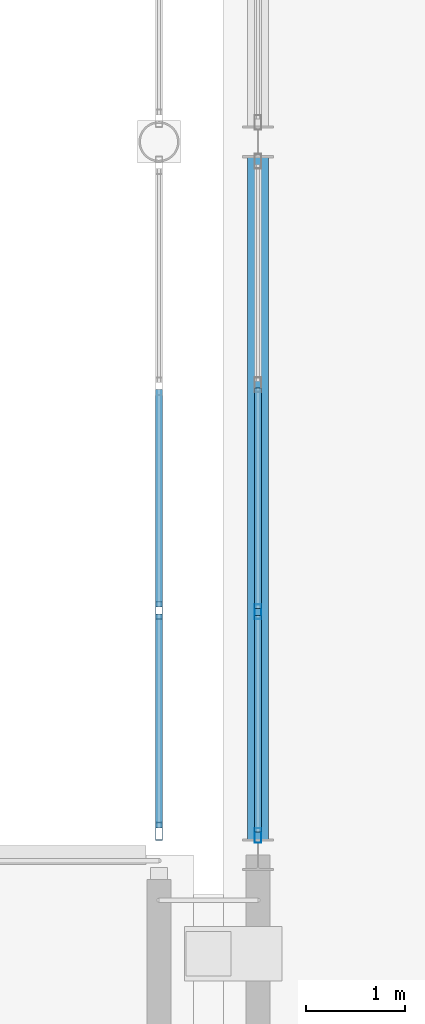
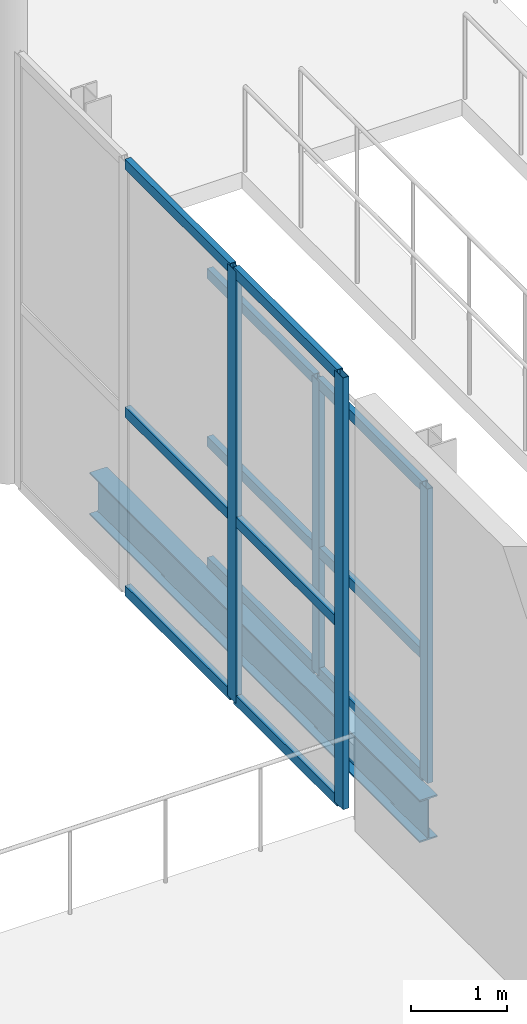
# One storey, part 42 of 77: 16 members, 1 beam, 2 elements without a shape of their own.
"""IFC4 building model written with IfcOpenShell, lengths in metres."""

import ifcopenshell
import ifcopenshell.guid

model = None  # the IFC model being written
_history = None  # IfcOwnerHistory: only IFC2X3 demands one
_inside = {}  # id of a spatial element -> (the spatial element, [elements in it])
_under = {}  # id of a project, library or spatial element -> (it, [spatial elements below it])
_declared = {}  # id of a project -> (the project, [libraries it declares])
_typed = {}  # id of a type object -> (the type object, [elements of that type])
_made_of = {}  # id of a material, layer set ... -> (it, [elements and type objects made of it])


def new_model(schema):
    """Start an empty IFC model of exactly this schema.

    Asked for "IFC4X3", IfcOpenShell would pick the latest addendum, in which some entities
    have other attributes; the version numbers below select the first issue.
    IFC2X3 requires an IfcOwnerHistory on every rooted entity: one is made here for all.
    """
    global model, _history
    if schema == "IFC4X3":
        model = ifcopenshell.file(schema_version=(4, 3, 0, 0))
    else:
        model = ifcopenshell.file(schema=schema)
    _inside.clear()
    _under.clear()
    _declared.clear()
    _typed.clear()
    _made_of.clear()
    _history = None
    if model.schema == "IFC2X3":
        org = make("IfcOrganization", Name="unknown")
        user = make(
            "IfcPersonAndOrganization",
            ThePerson=make("IfcPerson", FamilyName="unknown"),
            TheOrganization=org,
        )
        app = make(
            "IfcApplication",
            ApplicationDeveloper=org,
            Version="unknown",
            ApplicationFullName="unknown",
            ApplicationIdentifier="unknown",
        )
        _history = make(
            "IfcOwnerHistory",
            OwningUser=user,
            OwningApplication=app,
            ChangeAction="ADDED",
            CreationDate=0,
        )
    return model


def make(cls, **values):
    """One entity of the class cls with the attributes given. An attribute that is None is left unset."""
    return model.create_entity(
        cls, **{name: value for name, value in values.items() if value is not None}
    )


def rooted(cls, **values):
    """An entity with a GlobalId (a new one), such as an element, a storey or a relation."""
    return make(cls, GlobalId=ifcopenshell.guid.new(), OwnerHistory=_history, **values)


def si_unit(unit_type, name, prefix=None):
    """IfcSIUnit, for example si_unit("LENGTHUNIT", "METRE", prefix="MILLI")."""
    return make("IfcSIUnit", UnitType=unit_type, Prefix=prefix, Name=name)


def assignment(units):
    """IfcUnitAssignment: the units of a project."""
    return None if units is None else make("IfcUnitAssignment", Units=units)


def point(xyz):
    """IfcCartesianPoint."""
    return None if xyz is None else make("IfcCartesianPoint", Coordinates=xyz)


def direction(xyz):
    """IfcDirection."""
    return None if xyz is None else make("IfcDirection", DirectionRatios=xyz)


def frame(location, z_axis=None, x_axis=None):
    """IfcAxis2Placement3D, a coordinate frame: its origin and axes. An axis left out is left unset."""
    return make(
        "IfcAxis2Placement3D",
        Location=point(location),
        Axis=direction(z_axis),
        RefDirection=direction(x_axis),
    )


def frame_2d(location, x_axis=None):
    """IfcAxis2Placement2D, a coordinate frame in the plane: its origin and x axis."""
    return make(
        "IfcAxis2Placement2D", Location=point(location), RefDirection=direction(x_axis)
    )


def origin():
    """The frame at (0, 0, 0) with its axes left unset."""
    return frame((0.0, 0.0, 0.0))


def origin_2d():
    """The frame at (0, 0) in the plane with its x axis left unset."""
    return frame_2d((0.0, 0.0))


def place(relative_to, where):
    """IfcLocalPlacement: puts the frame where relative to a parent placement (None: the world)."""
    return make(
        "IfcLocalPlacement", PlacementRelTo=relative_to, RelativePlacement=where
    )


def context(
    kind, dimensions, precision=None, world=None, true_north=None, identifier=None
):
    """IfcGeometricRepresentationContext, for example the 3D "Model" context."""
    return make(
        "IfcGeometricRepresentationContext",
        ContextIdentifier=identifier,
        ContextType=kind,
        CoordinateSpaceDimension=dimensions,
        Precision=precision,
        WorldCoordinateSystem=world,
        TrueNorth=true_north,
    )


def subcontext(parent, identifier, kind, view, scale=None):
    """IfcGeometricRepresentationSubContext, for example "Body" below "Model"."""
    return make(
        "IfcGeometricRepresentationSubContext",
        ContextIdentifier=identifier,
        ContextType=kind,
        ParentContext=parent,
        TargetScale=scale,
        TargetView=view,
    )


def project(units=None, contexts=None):
    """IfcProject with its units and contexts."""
    return rooted(
        "IfcProject",
        Name="project",
        RepresentationContexts=contexts,
        UnitsInContext=assignment(units),
    )


def spatial(cls, under=None, at=None, **own):
    """A site, building, storey or space (cls), placed at a placement, below another one or the project."""
    s = rooted(cls, ObjectPlacement=at, **own)
    if under is not None:
        _under.setdefault(under.id(), (under, []))[1].append(s)
    return s


def profile(cls, at=None, kind="AREA", **sizes):
    """A parametric profile (cls). Its sizes go by their IFC names, for example OverallWidth=200.0."""
    return make(cls, ProfileType=kind, Position=at, **sizes)


def hollow_rectangle(**sizes):
    """IfcRectangleHollowProfileDef."""
    return profile("IfcRectangleHollowProfileDef", **sizes)


def i_section(**sizes):
    """IfcIShapeProfileDef."""
    return profile("IfcIShapeProfileDef", **sizes)


def extrude(swept, where, along, depth):
    """IfcExtrudedAreaSolid: the profile swept, set in the frame where, extruded along a direction by depth."""
    return make(
        "IfcExtrudedAreaSolid",
        SweptArea=swept,
        Position=where,
        ExtrudedDirection=direction(along),
        Depth=depth,
    )


def shape(context_of_items, identifier, shape_type, items):
    """IfcShapeRepresentation: the items that make up one representation, for example the "Body"."""
    return make(
        "IfcShapeRepresentation",
        ContextOfItems=context_of_items,
        RepresentationIdentifier=identifier,
        RepresentationType=shape_type,
        Items=items,
    )


def material(Name=None, Category=None):
    """IfcMaterial."""
    return make("IfcMaterial", Name=Name, Category=Category)


def layer(
    of_material, thickness, ventilated=None, Name=None, Category=None, Priority=None
):
    """IfcMaterialLayer: one layer of a wall or slab, of a material (None: an air gap)."""
    return make(
        "IfcMaterialLayer",
        Material=of_material,
        LayerThickness=thickness,
        IsVentilated=ventilated,
        Name=Name,
        Category=Category,
        Priority=Priority,
    )


def layer_set(layers, Name=None):
    """IfcMaterialLayerSet."""
    return make("IfcMaterialLayerSet", MaterialLayers=layers, LayerSetName=Name)


def material_profile(
    of_material, cross_section, Name=None, Category=None, Priority=None
):
    """IfcMaterialProfile: a cross section and its material."""
    return make(
        "IfcMaterialProfile",
        Name=Name,
        Material=of_material,
        Profile=cross_section,
        Priority=Priority,
        Category=Category,
    )


def profile_set(profiles, Name=None, composite=None):
    """IfcMaterialProfileSet."""
    return make(
        "IfcMaterialProfileSet",
        Name=Name,
        MaterialProfiles=profiles,
        CompositeProfile=composite,
    )


def made_of(thing, what):
    """Note that an element or type object is made of a material, layer set ...; save() writes the relation."""
    if what is not None:
        _made_of.setdefault(what.id(), (what, []))[1].append(thing)
    return thing


def type_object(cls, material=None, **own):
    """A type object (cls), such as IfcWallType, which elements share."""
    return made_of(rooted(cls, **own), material)


def element(
    cls,
    number,
    at=None,
    inside=None,
    cuts=None,
    type_object=None,
    material=None,
    context=None,
    identifier="Body",
    shape_type=None,
    held_by="IfcProductDefinitionShape",
    body=None,
    shapes=None,
    **own,
):
    """One element of the class cls, such as IfcWall. Its Tag is "e" and its number.

    at: its placement. inside: the storey or other place that contains it. cuts: it is an
    opening in that element (IfcRelVoidsElement). A single representation is given by context,
    identifier, shape_type and body (its items); several are given by shapes. held_by: the class
    of the entity that holds the representations. save() writes the other relations.
    """
    e = rooted(cls, Tag="e%d" % number, ObjectPlacement=at, **own)
    if body is not None:
        shapes = [shape(context, identifier, shape_type, body)]
    if shapes is not None:
        e.Representation = make(held_by, Representations=shapes)
    if inside is not None:
        _inside.setdefault(inside.id(), (inside, []))[1].append(e)
    if cuts is not None:
        rooted(
            "IfcRelVoidsElement", RelatingBuildingElement=cuts, RelatedOpeningElement=e
        )
    if type_object is not None:
        _typed.setdefault(type_object.id(), (type_object, []))[1].append(e)
    return made_of(e, material)


def aggregate(whole, parts):
    """IfcRelAggregates: a whole, such as a stair, and the parts it consists of."""
    return rooted("IfcRelAggregates", RelatingObject=whole, RelatedObjects=parts)


def save(model, path):
    """Write the relations noted so far, then the file.

    IfcRelAggregates (storeys below a building ...), IfcRelContainedInSpatialStructure (elements
    in a storey), IfcRelDefinesByType, IfcRelAssociatesMaterial and IfcRelDeclares: one each for
    every whole, place, type object, material and project.
    """
    for whole, parts in _under.values():
        aggregate(whole, parts)
    for where, things in _inside.values():
        rooted(
            "IfcRelContainedInSpatialStructure",
            RelatedElements=things,
            RelatingStructure=where,
        )
    for kind, things in _typed.values():
        rooted("IfcRelDefinesByType", RelatedObjects=things, RelatingType=kind)
    for what, things in _made_of.values():
        rooted("IfcRelAssociatesMaterial", RelatedObjects=things, RelatingMaterial=what)
    for by, libraries in _declared.values():
        rooted("IfcRelDeclares", RelatingContext=by, RelatedDefinitions=libraries)
    model.write(path)


model = new_model("IFC4")

# Units and contexts
model_context = context("Model", 3, precision=1e-05, world=origin(), true_north=direction((0.0, 1.0)))
body_context = subcontext(model_context, "Body", "Model", "MODEL_VIEW")
ifc_project = project(units=[si_unit("LENGTHUNIT", "METRE"), si_unit("AREAUNIT", "SQUARE_METRE"), si_unit("VOLUMEUNIT", "CUBIC_METRE"), si_unit("PLANEANGLEUNIT", "RADIAN"), si_unit("MASSUNIT", "GRAM", prefix="KILO")], contexts=[model_context])

# Site, building, storey
site_placement = place(None, origin())
site = spatial("IfcSite", under=ifc_project, at=site_placement, CompositionType="ELEMENT")
building_placement = place(site_placement, origin())
building = spatial("IfcBuilding", under=site, at=building_placement, Name="Quillay Park Conservatory", CompositionType="ELEMENT")
storey_placement = place(building_placement, frame((0.0, 0.0, 5.39990234375)))
storey = spatial("IfcBuildingStorey", under=building, at=storey_placement, Name="L01", CompositionType="ELEMENT", Elevation=5.39990234375)

# Curtain wall, members
ifc_material_1 = material(Name="Thermally Broken Anodised Aluminium 6063-T6", Category="aluminium")
ifc_layer_1 = layer(ifc_material_1, 0.1650390625)
ifc_layer_set_1 = layer_set([ifc_layer_1], Name="UNITISED CURTAIN WALL PODIUM (Thermally Broken Anodised Aluminium 6063-T6)")
curtain_wall_type_1 = type_object("IfcCurtainWallType", Name="UNITISED CURTAIN WALL PODIUM", PredefinedType="USERDEFINED", material=ifc_layer_set_1)
curtain_wall_1_placement = place(storey_placement, origin())
curtain_wall_1 = element("IfcCurtainWall", 1, at=curtain_wall_1_placement, inside=storey, type_object=curtain_wall_type_1, Name="L01 Unitised Curtain Wall 224", ObjectType="UNITISED CURTAIN WALL", PredefinedType="USERDEFINED")
ifc_material_2 = material(Name="Thermally Broken Anodised Aluminium 6063-T6", Category="aluminium")
ifc_material_profile_1 = material_profile(ifc_material_2, hollow_rectangle(XDim=0.070068359375, YDim=0.14990234375, WallThickness=0.00341796875, at=origin_2d()), Name="AL70x150x3.5")
ifc_profile_set_1 = profile_set([ifc_material_profile_1], Name="Thermally Broken Anodised Aluminium 6063-T6")
member_type_1 = type_object("IfcMemberType", Name="CURTAIN WALL MULLION 70 X150", PredefinedType="MULLION", material=ifc_profile_set_1)
member_1_placement = place(storey_placement, frame((115.85009765625, 92.594970703125, 0.0), z_axis=(0.0, 0.0, 1.0), x_axis=(-1.0, 0.0, 0.0)))
member_1 = element("IfcMember", 2, at=member_1_placement, type_object=member_type_1, Name="CW-P1 mullion 1", PredefinedType="MULLION", context=body_context, shape_type="SweptSolid", body=[
    extrude(hollow_rectangle(XDim=0.070068359375, YDim=0.14990234375, WallThickness=0.00341796875, at=origin_2d()), origin(), (0.0, 0.0, 1.0), 3.7490234375),
])
member_2_placement = place(storey_placement, frame((115.85009765625, 94.853271484375, 0.0), z_axis=(0.0, 0.0, 1.0), x_axis=(-1.0, 0.0, 0.0)))
member_2 = element("IfcMember", 3, at=member_2_placement, type_object=member_type_1, Name="CW-P1 mullion 2", PredefinedType="MULLION", context=body_context, shape_type="SweptSolid", body=[
    extrude(hollow_rectangle(XDim=0.070068359375, YDim=0.14990234375, WallThickness=0.00341796875, at=origin_2d()), origin(), (0.0, 0.0, 1.0), 3.7490234375),
])

ifc_material_3 = material(Name="Thermally Broken Anodised Aluminium 6063-T6", Category="aluminium")
ifc_layer_2 = layer(ifc_material_3, 0.219970703125)
ifc_layer_set_2 = layer_set([ifc_layer_2], Name="UNITISED CURTAIN WALL CONSERVATORY (Thermally Broken Anodised Aluminium 6063-T6)")
curtain_wall_type_2 = type_object("IfcCurtainWallType", Name="UNITISED CURTAIN WALL CONSERVATORY", PredefinedType="USERDEFINED", material=ifc_layer_set_2)
curtain_wall_2_placement = place(storey_placement, origin())
curtain_wall_2 = element("IfcCurtainWall", 4, at=curtain_wall_2_placement, inside=storey, type_object=curtain_wall_type_2, Name="L01 Unitised Curtain Wall 166", ObjectType="UNITISED CURTAIN WALL", PredefinedType="USERDEFINED")
ifc_material_4 = material(Name="Thermally Broken Anodised Aluminium 6063-T6", Category="aluminium")
ifc_material_profile_2 = material_profile(ifc_material_4, hollow_rectangle(XDim=0.070068359375, YDim=0.179931640625, WallThickness=0.00390625, at=origin_2d()), Name="AL70x180x4")
ifc_profile_set_2 = profile_set([ifc_material_profile_2], Name="Thermally Broken Anodised Aluminium 6063-T6")
member_type_2 = type_object("IfcMemberType", Name="CURTAIN WALL MULLION 70 X180", PredefinedType="MULLION", material=ifc_profile_set_2)
member_3_placement = place(storey_placement, frame((114.85009765625, 94.867431640625, 0.0), z_axis=(0.0, 0.0, 1.0), x_axis=(1.0, 0.0, 0.0)))
member_3 = element("IfcMember", 5, at=member_3_placement, type_object=member_type_2, Name="CW-C1 mullion 3", PredefinedType="MULLION", context=body_context, shape_type="SweptSolid", body=[
    extrude(hollow_rectangle(XDim=0.070068359375, YDim=0.179931640625, WallThickness=0.00390625, at=origin_2d()), origin(), (0.0, 0.0, 1.0), 5.5),
])
member_4_placement = place(storey_placement, frame((114.85009765625, 92.636962890625, 0.0), z_axis=(0.0, 0.0, 1.0), x_axis=(1.0, 0.0, 0.0)))
member_4 = element("IfcMember", 6, at=member_4_placement, type_object=member_type_2, Name="CW-C1 mullion 4", PredefinedType="MULLION", context=body_context, shape_type="SweptSolid", body=[
    extrude(hollow_rectangle(XDim=0.070068359375, YDim=0.179931640625, WallThickness=0.00390625, at=origin_2d()), origin(), (0.0, 0.0, 1.0), 5.5),
])
ifc_material_5 = material(Name="Thermally Broken Anodised Aluminium 6063-T6", Category="aluminium")
ifc_material_profile_3 = material_profile(ifc_material_5, hollow_rectangle(XDim=0.070068359375, YDim=0.1298828125, WallThickness=0.003173828125, at=origin_2d()), Name="AL70x130x3.2")
ifc_profile_set_3 = profile_set([ifc_material_profile_3], Name="Thermally Broken Anodised Aluminium 6063-T6")
member_type_3 = type_object("IfcMemberType", Name="CURTAIN WALL TRANSOM 70 X130", PredefinedType="USERDEFINED", material=ifc_profile_set_3)
member_5_placement = place(storey_placement, frame((114.85009765625, 97.09765625, 0.03515625), z_axis=(0.0, -1.0, 0.0), x_axis=(1.0, 0.0, 0.0)))
member_5 = element("IfcMember", 7, at=member_5_placement, type_object=member_type_3, Name="CW-C1 transom 2.1", ObjectType="TRANSOM", PredefinedType="USERDEFINED", context=body_context, shape_type="SweptSolid", body=[
    extrude(hollow_rectangle(XDim=0.070068359375, YDim=0.1298828125, WallThickness=0.003173828125, at=origin_2d()), origin(), (0.0, 0.0, 1.0), 2.1953125),
])
member_6_placement = place(storey_placement, frame((114.85009765625, 97.09765625, 2.31005859375), z_axis=(0.0, -1.0, 0.0), x_axis=(1.0, 0.0, 0.0)))
member_6 = element("IfcMember", 8, at=member_6_placement, type_object=member_type_3, Name="CW-C1 transom 2.2", ObjectType="TRANSOM", PredefinedType="USERDEFINED", context=body_context, shape_type="SweptSolid", body=[
    extrude(hollow_rectangle(XDim=0.070068359375, YDim=0.1298828125, WallThickness=0.003173828125, at=origin_2d()), origin(), (0.0, 0.0, 1.0), 2.1953125),
])
member_7_placement = place(storey_placement, frame((114.85009765625, 97.09765625, 5.465087890625), z_axis=(0.0, -1.0, 0.0), x_axis=(1.0, 0.0, 0.0)))
member_7 = element("IfcMember", 9, at=member_7_placement, type_object=member_type_3, Name="CW-C1 transom 2.3", ObjectType="TRANSOM", PredefinedType="USERDEFINED", context=body_context, shape_type="SweptSolid", body=[
    extrude(hollow_rectangle(XDim=0.070068359375, YDim=0.1298828125, WallThickness=0.003173828125, at=origin_2d()), origin(), (0.0, 0.0, 1.0), 2.1953125),
])
member_8_placement = place(storey_placement, frame((114.85009765625, 94.832275390625, 0.03515625), z_axis=(0.0, -1.0, 0.0), x_axis=(1.0, 0.0, 0.0)))
member_8 = element("IfcMember", 10, at=member_8_placement, type_object=member_type_3, Name="CW-C1 transom 3.1", ObjectType="TRANSOM", PredefinedType="USERDEFINED", context=body_context, shape_type="SweptSolid", body=[
    extrude(hollow_rectangle(XDim=0.070068359375, YDim=0.1298828125, WallThickness=0.003173828125, at=origin_2d()), origin(), (0.0, 0.0, 1.0), 2.16015625),
])
member_9_placement = place(storey_placement, frame((114.85009765625, 94.832275390625, 2.31005859375), z_axis=(0.0, -1.0, 0.0), x_axis=(1.0, 0.0, 0.0)))
member_9 = element("IfcMember", 11, at=member_9_placement, type_object=member_type_3, Name="CW-C1 transom 3.2", ObjectType="TRANSOM", PredefinedType="USERDEFINED", context=body_context, shape_type="SweptSolid", body=[
    extrude(hollow_rectangle(XDim=0.070068359375, YDim=0.1298828125, WallThickness=0.003173828125, at=origin_2d()), origin(), (0.0, 0.0, 1.0), 2.16015625),
])
member_10_placement = place(storey_placement, frame((114.85009765625, 94.832275390625, 5.465087890625), z_axis=(0.0, -1.0, 0.0), x_axis=(1.0, 0.0, 0.0)))
member_10 = element("IfcMember", 12, at=member_10_placement, type_object=member_type_3, Name="CW-C1 transom 3.3", ObjectType="TRANSOM", PredefinedType="USERDEFINED", context=body_context, shape_type="SweptSolid", body=[
    extrude(hollow_rectangle(XDim=0.070068359375, YDim=0.1298828125, WallThickness=0.003173828125, at=origin_2d()), origin(), (0.0, 0.0, 1.0), 2.16015625),
])
aggregate(curtain_wall_2, [member_3, member_4, member_5, member_6, member_7, member_8, member_9, member_10])

# Member
member_11_placement = place(storey_placement, frame((115.85009765625, 92.6298828125, 0.03515625), z_axis=(0.0, 1.0, 0.0), x_axis=(-1.0, 0.0, 0.0)))
member_11 = element("IfcMember", 13, at=member_11_placement, type_object=member_type_3, Name="CW-P1 transom 1.1", ObjectType="TRANSOM", PredefinedType="USERDEFINED", context=body_context, shape_type="SweptSolid", body=[
    extrude(hollow_rectangle(XDim=0.070068359375, YDim=0.1298828125, WallThickness=0.003173828125, at=origin_2d()), origin(), (0.0, 0.0, 1.0), 2.1884765625),
])

member_12_placement = place(storey_placement, frame((115.85009765625, 92.6298828125, 1.57470703125), z_axis=(0.0, 1.0, 0.0), x_axis=(-1.0, 0.0, 0.0)))
member_12 = element("IfcMember", 14, at=member_12_placement, type_object=member_type_3, Name="CW-P1 transom 1.2", ObjectType="TRANSOM", PredefinedType="USERDEFINED", context=body_context, shape_type="SweptSolid", body=[
    extrude(hollow_rectangle(XDim=0.070068359375, YDim=0.1298828125, WallThickness=0.003173828125, at=origin_2d()), origin(), (0.0, 0.0, 1.0), 2.1884765625),
])

member_13_placement = place(storey_placement, frame((115.85009765625, 92.6298828125, 3.714111328125), z_axis=(0.0, 1.0, 0.0), x_axis=(-1.0, 0.0, 0.0)))
member_13 = element("IfcMember", 15, at=member_13_placement, type_object=member_type_3, Name="CW-P1 transom 1.3", ObjectType="TRANSOM", PredefinedType="USERDEFINED", context=body_context, shape_type="SweptSolid", body=[
    extrude(hollow_rectangle(XDim=0.070068359375, YDim=0.1298828125, WallThickness=0.003173828125, at=origin_2d()), origin(), (0.0, 0.0, 1.0), 2.1884765625),
])

member_14_placement = place(storey_placement, frame((115.85009765625, 94.888427734375, 0.03515625), z_axis=(0.0, 1.0, 0.0), x_axis=(-1.0, 0.0, 0.0)))
member_14 = element("IfcMember", 16, at=member_14_placement, type_object=member_type_3, Name="CW-P1 transom 2.1", ObjectType="TRANSOM", PredefinedType="USERDEFINED", context=body_context, shape_type="SweptSolid", body=[
    extrude(hollow_rectangle(XDim=0.070068359375, YDim=0.1298828125, WallThickness=0.003173828125, at=origin_2d()), origin(), (0.0, 0.0, 1.0), 2.22314453125),
])

member_15_placement = place(storey_placement, frame((115.85009765625, 94.888427734375, 1.57470703125), z_axis=(0.0, 1.0, 0.0), x_axis=(-1.0, 0.0, 0.0)))
member_15 = element("IfcMember", 17, at=member_15_placement, type_object=member_type_3, Name="CW-P1 transom 2.2", ObjectType="TRANSOM", PredefinedType="USERDEFINED", context=body_context, shape_type="SweptSolid", body=[
    extrude(hollow_rectangle(XDim=0.070068359375, YDim=0.1298828125, WallThickness=0.003173828125, at=origin_2d()), origin(), (0.0, 0.0, 1.0), 2.22314453125),
])

member_16_placement = place(storey_placement, frame((115.85009765625, 94.888427734375, 3.714111328125), z_axis=(0.0, 1.0, 0.0), x_axis=(-1.0, 0.0, 0.0)))
member_16 = element("IfcMember", 18, at=member_16_placement, type_object=member_type_3, Name="CW-P1 transom 2.3", ObjectType="TRANSOM", PredefinedType="USERDEFINED", context=body_context, shape_type="SweptSolid", body=[
    extrude(hollow_rectangle(XDim=0.070068359375, YDim=0.1298828125, WallThickness=0.003173828125, at=origin_2d()), origin(), (0.0, 0.0, 1.0), 2.22314453125),
])

aggregate(curtain_wall_1, [member_1, member_2, member_11, member_12, member_13, member_14, member_15, member_16])

# Beam
ifc_material_6 = material(Name="Steel ASTM A992 Grade 50", Category="steel")
ifc_material_profile_4 = material_profile(ifc_material_6, i_section(OverallWidth=0.2109375, OverallDepth=0.5390625, WebThickness=0.01171875, FlangeThickness=0.018798828125, FilletRadius=0.013916015625, at=origin_2d()), Name="W530x109")
ifc_profile_set_4 = profile_set([ifc_material_profile_4], Name="Steel ASTM A992 Grade 50")
beam_type = type_object("IfcBeamType", Name="PRIMARY FLOOR GIRDER W530 X109", PredefinedType="BEAM", material=ifc_profile_set_4)
beam_placement = place(storey_placement, frame((115.85009765625, 92.554931640625, -0.4794921875), z_axis=(0.0, 1.0, 0.0), x_axis=(-1.0, 0.0, 0.0)))
element("IfcBeam", 19, at=beam_placement, inside=storey, type_object=beam_type, Name="L01 beam BM-V2Y-1712", PredefinedType="BEAM", context=body_context, shape_type="SweptSolid", body=[
    extrude(i_section(OverallWidth=0.2109375, OverallDepth=0.5390625, WebThickness=0.01171875, FlangeThickness=0.018798828125, FilletRadius=0.013916015625, at=origin_2d()), origin(), (0.0, 0.0, 1.0), 6.89013671875),
])

save(model, "model.ifc")
